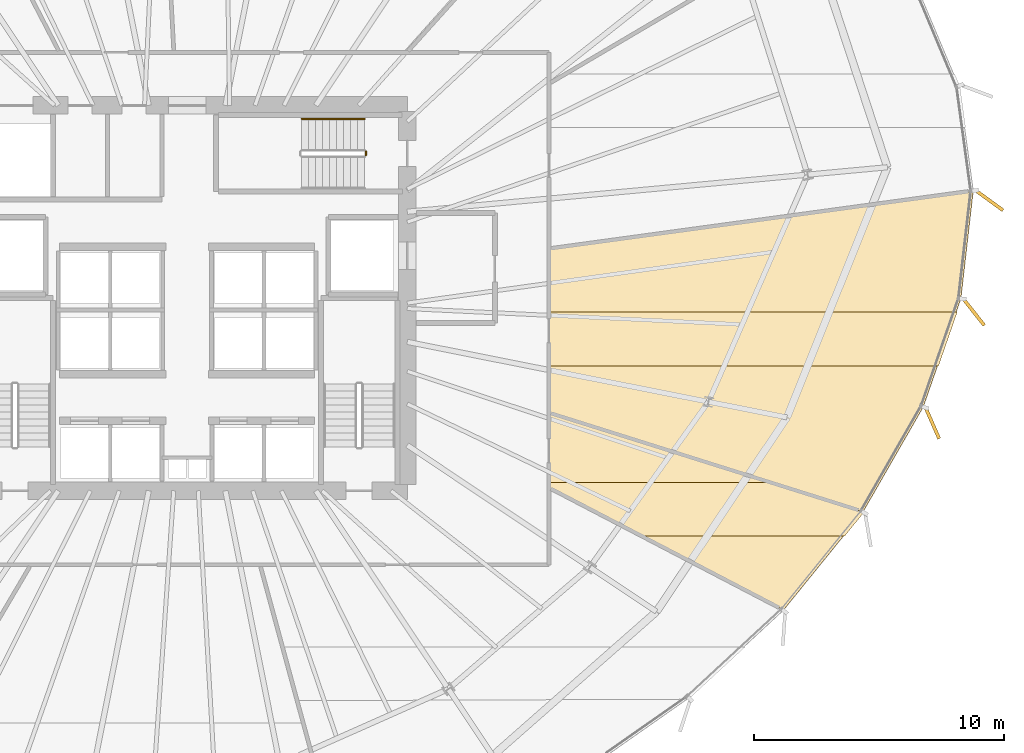
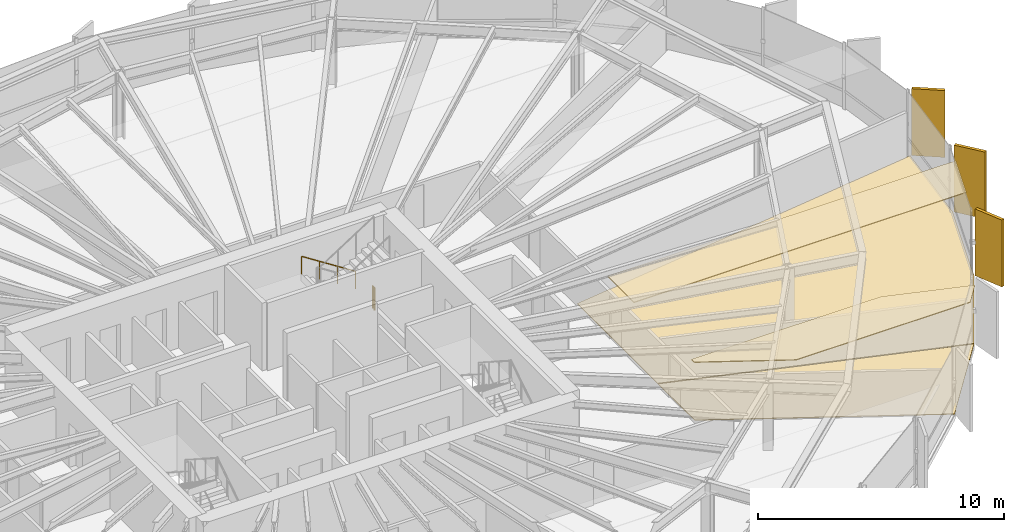
# One storey, part 34 of 35: 7 coverings, 2 railings.
"""IFC4 building model written with IfcOpenShell, lengths in metres."""

from ifc_helpers import new_model, si_unit, direction, frame, origin, origin_2d, place, context, subcontext, project, spatial, polyline, rectangle, circle, outline, extrude, source, transform, mapped, material, layer, layer_set, type_object, element, save


model = new_model("IFC4")

# Units and contexts
model_context = context("Model", 3, precision=1e-05, world=origin(), true_north=direction((0.0, 1.0)))
body_context = subcontext(model_context, "Body", "Model", "MODEL_VIEW")
ifc_project = project(units=[si_unit("LENGTHUNIT", "METRE"), si_unit("AREAUNIT", "SQUARE_METRE"), si_unit("VOLUMEUNIT", "CUBIC_METRE"), si_unit("PLANEANGLEUNIT", "RADIAN"), si_unit("MASSUNIT", "GRAM", prefix="KILO"), si_unit("THERMODYNAMICTEMPERATUREUNIT", "KELVIN")], contexts=[model_context])

# Site, building, storey
site_placement = place(None, origin())
site = spatial("IfcSite", under=ifc_project, at=site_placement, CompositionType="ELEMENT")
building_placement = place(site_placement, origin())
building = spatial("IfcBuilding", under=site, at=building_placement, Name="Kethvar Cultural Tower", CompositionType="ELEMENT")
storey_placement = place(building_placement, frame((0.0, 0.0, 96.39990234375)))
storey = spatial("IfcBuildingStorey", under=building, at=storey_placement, Name="L23", CompositionType="ELEMENT", Elevation=96.39990234375)

# Coverings
ifc_material_1 = material(Name="Acoustic Mineral Fibre Ceiling")
ifc_layer_1 = layer(ifc_material_1, 0.0400390625, Name="Acoustic Mineral Fibre Ceiling")
ifc_layer_set_1 = layer_set([ifc_layer_1], Name="Acoustic Mineral Fibre Ceiling (40 mm)")
covering_type_1 = type_object("IfcCoveringType", Name="CV-ACOUSTIC-CEIL", PredefinedType="CEILING", material=ifc_layer_set_1)
covering_1_placement = place(storey_placement, frame((0.0, 0.0, 2.89013671875)))
element("IfcCovering", 1, at=covering_1_placement, inside=storey, type_object=covering_type_1, Name="L23 Room 04 Acoustic Ceiling Panel", PredefinedType="CEILING", context=body_context, shape_type="SweptSolid", body=[
    extrude(outline(polyline([(61.2607421875, 20.20068359375), (61.25, 20.432861328125), (70.124755859375, 20.432861328125), (73.84912109375, 19.236572265625), (73.08056640625, 18.28271484375), (64.9208984375, 18.28271484375), (61.2607421875, 20.20068359375)])), origin(), (0.0, 0.0, 1.0), 0.0400390625),
])
covering_2_placement = place(storey_placement, frame((0.0, 0.0, 2.89013671875)))
element("IfcCovering", 2, at=covering_2_placement, inside=storey, type_object=covering_type_1, Name="L23 Room 05 Acoustic Ceiling Panel", PredefinedType="CEILING", context=body_context, shape_type="SweptSolid", body=[
    extrude(outline(polyline([(76.835205078125, 25.092041015625), (61.25, 25.092041015625), (61.25, 27.2421875), (77.58154296875, 27.2421875), (76.835205078125, 25.092041015625)])), origin(), (0.0, 0.0, 1.0), 0.0400390625),
])
ifc_material_2 = material(Name="Honed Warm Limestone", Category="masonry")
ifc_layer_2 = layer(ifc_material_2, 0.030029296875, Name="Honed Warm Limestone", Category="masonry")
ifc_layer_set_2 = layer_set([ifc_layer_2], Name="Honed Warm Limestone (30 mm)")
covering_type_2 = type_object("IfcCoveringType", Name="CV-STONE-FLOOR", PredefinedType="FLOORING", material=ifc_layer_set_2)
covering_3_placement = place(storey_placement, origin())
element("IfcCovering", 3, at=covering_3_placement, inside=storey, type_object=covering_type_2, Name="L23 Room 04 Floor Finish", PredefinedType="FLOORING", context=body_context, shape_type="SweptSolid", body=[
    extrude(outline(polyline([(70.637939453125, 15.33251953125), (61.2900390625, 20.23046875), (61.2900390625, 23.189208984375), (73.795166015625, 19.228271484375), (70.637939453125, 15.33251953125)])), origin(), (0.0, 0.0, 1.0), 0.030029296875),
])
covering_4_placement = place(storey_placement, origin())
element("IfcCovering", 4, at=covering_4_placement, inside=storey, type_object=covering_type_2, Name="L23 Room 05 Floor Finish", PredefinedType="FLOORING", context=body_context, shape_type="SweptSolid", body=[
    extrude(outline(polyline([(77.72607421875, 27.7802734375), (76.223388671875, 23.451171875), (73.81982421875, 19.26220703125), (61.2900390625, 23.231201171875), (61.2900390625, 29.757080078125), (78.217529296875, 32.0673828125), (77.72607421875, 27.7802734375)])), origin(), (0.0, 0.0, 1.0), 0.030029296875),
])

# Railings
ifc_material_3 = material(Name="Steel S355J2", Category="steel")
railing_type_1 = type_object("IfcRailingType", Name="RL-STAIR-GUARD", PredefinedType="BALUSTRADE", material=ifc_material_3)
railing_1_placement = place(storey_placement, frame((53.949951171875, 33.659912109375, 0.0)))
element("IfcRailing", 5, at=railing_1_placement, inside=storey, type_object=railing_type_1, Name="L23 ST-03 stair guard 4", PredefinedType="BALUSTRADE", context=body_context, shape_type="SweptSolid", body=[
    extrude(circle(Radius=0.02392578125, at=origin_2d()), frame((0.0, 0.0, 1.09619140625), z_axis=(0.0, -1.0, 0.0), x_axis=(1.0, 0.0, 0.0)), (0.0, 0.0, 1.0), 0.159912109375),
    extrude(circle(Radius=0.02099609375, at=origin_2d()), origin(), (0.0, 0.0, 1.0), 1.072021484375),
    extrude(circle(Radius=0.02099609375, at=origin_2d()), frame((0.0, -0.159912109375, 0.0)), (0.0, 0.0, 1.0), 1.072021484375),
])
railing_type_2 = type_object("IfcRailingType", Name="RL-STAIR-HANDRAIL", PredefinedType="HANDRAIL", material=ifc_material_3)
railing_2_placement = place(storey_placement, frame((53.89990234375, 34.9599609375, 0.18017578125)))
element("IfcRailing", 6, at=railing_2_placement, inside=storey, type_object=railing_type_2, Name="L23 ST-03 stair handrail 1", PredefinedType="HANDRAIL", context=body_context, shape_type="SweptSolid", body=[
    extrude(circle(Radius=0.02392578125, at=origin_2d()), frame((0.0, 0.0, 0.8759765625), z_axis=(-0.841199657755, 0.0, 0.540724639528), x_axis=(0.0, -1.0, 0.0)), (0.0, 0.0, 1.0), 2.995849609375),
    extrude(circle(Radius=0.02099609375, at=origin_2d()), origin(), (0.0, 0.0, 1.0), 0.851806640625),
    extrude(circle(Radius=0.02099609375, at=origin_2d()), frame((-0.840087890625, 0.0, 0.5400390625)), (0.0, 0.0, 1.0), 0.851806640625),
    extrude(circle(Radius=0.02099609375, at=origin_2d()), frame((-1.679931640625, 0.0, 1.079833984375)), (0.0, 0.0, 1.0), 0.851806640625),
    extrude(circle(Radius=0.02099609375, at=origin_2d()), frame((-2.52001953125, 0.0, 1.619873046875)), (0.0, 0.0, 1.0), 0.851806640625),
])

# Coverings
ifc_material_4 = material(Name="Extruded Architectural Terracotta", Category="masonry")
ifc_layer_3 = layer(ifc_material_4, 0.135009765625, Name="Extruded Architectural Terracotta", Category="masonry")
ifc_layer_set_3 = layer_set([ifc_layer_3], Name="Extruded Architectural Terracotta (135 mm)")
covering_type_3 = type_object("IfcCoveringType", Name="Terracotta Facade Fin FIN-02", PredefinedType="CLADDING", material=ifc_layer_set_3)
shared_shape = source(origin(), body_context, "Body", "SweptSolid", [
    extrude(rectangle(XDim=1.35009765625, YDim=0.135009765625, at=origin_2d()), origin(), (0.0, 0.0, 1.0), 3.31005859375),
])
for number, where, z_axis, x_axis, name in (
    (7, (76.58837890625, 22.79833984375, 0.02001953125), (0.0, 0.0, 1.0), (0.401787957264, -0.915732732514, 0.0), "L23 Vertical Terracotta Fin 6.4"),
    (8, (78.24462890625, 27.23779296875, 0.02001953125), (0.0, 0.0, 1.0), (0.621558036049, -0.783368117696, 0.0), "L23 Vertical Terracotta Fin 6.5"),
    (9, (78.865478515625, 31.7041015625, 0.02001953125), (0.0, 0.0, 1.0), (0.808401023617, -0.588632130464, 0.0), "L23 Vertical Terracotta Fin 6.6"),
):
    element("IfcCovering", number, at=place(storey_placement, frame(where, z_axis=z_axis, x_axis=x_axis)), inside=storey, type_object=covering_type_3, Name=name, PredefinedType="CLADDING", context=body_context, shape_type="MappedRepresentation", body=[
        mapped(shared_shape, transform((0.0, 0.0, 0.0), scale=1.0)),
    ])

save(model, "model.ifc")
